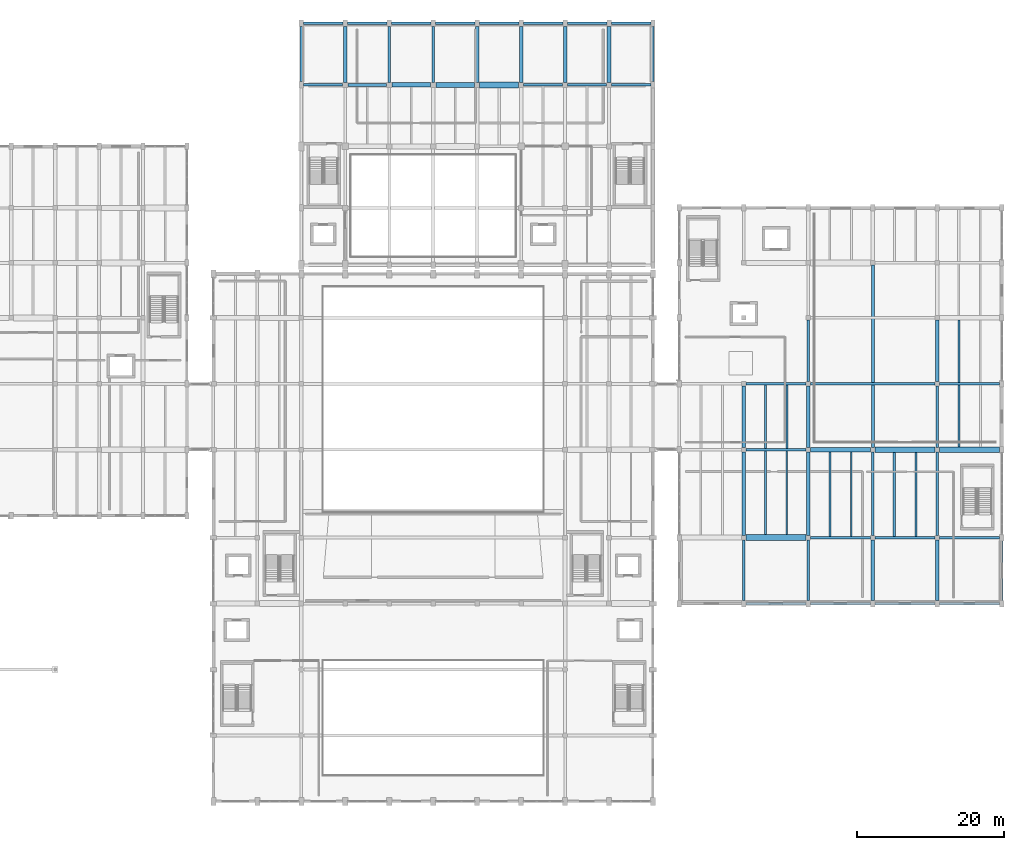
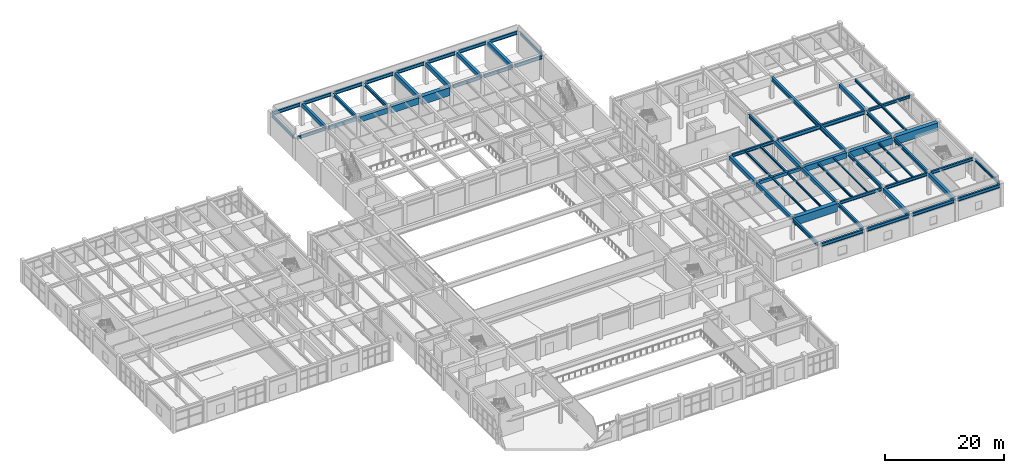
# One storey, part 49 of 85: 65 beams.
"""IFC4 building model written with IfcOpenShell, lengths in metres."""

from ifc_helpers import new_model, si_unit, direction, frame, origin, origin_2d, place, context, subcontext, project, spatial, rectangle, i_section, extrude, material, material_profile, profile_set, type_object, element, save


model = new_model("IFC4")

# Units and contexts
model_context = context("Model", 3, precision=1e-05, world=origin(), true_north=direction((0.0, 1.0)))
body_context = subcontext(model_context, "Body", "Model", "MODEL_VIEW")
ifc_project = project(units=[si_unit("LENGTHUNIT", "METRE"), si_unit("AREAUNIT", "SQUARE_METRE"), si_unit("VOLUMEUNIT", "CUBIC_METRE"), si_unit("PLANEANGLEUNIT", "RADIAN"), si_unit("MASSUNIT", "GRAM", prefix="KILO")], contexts=[model_context])

# Site, building, storey
site_placement = place(None, origin())
site = spatial("IfcSite", under=ifc_project, at=site_placement, CompositionType="ELEMENT")
building_placement = place(site_placement, origin())
building = spatial("IfcBuilding", under=site, at=building_placement, Name="Vaelkrest Opera House", CompositionType="ELEMENT")
storey_placement = place(building_placement, frame((0.0, 0.0, 10.199951171875)))
storey = spatial("IfcBuildingStorey", under=building, at=storey_placement, Name="L02", CompositionType="ELEMENT", Elevation=10.199951171875)

# Beams
ifc_material_1 = material(Name="Concrete C50/60", Category="concrete")
ifc_material_profile_1 = material_profile(ifc_material_1, rectangle(XDim=0.39990234375, YDim=0.64990234375, at=origin_2d()), Name="RCB400X650")
ifc_profile_set_1 = profile_set([ifc_material_profile_1], Name="Concrete C50/60")
beam_type_1 = type_object("IfcBeamType", Name="B01", PredefinedType="BEAM", material=ifc_profile_set_1)
beam_1_placement = place(storey_placement, frame((-11.64990234375, 42.0, 4.179931640625), z_axis=(1.0, 0.0, 0.0), x_axis=(0.0, 1.0, 0.0)))
element("IfcBeam", 1, at=beam_1_placement, inside=storey, type_object=beam_type_1, Name="Beam BM-V2-L02-0973", PredefinedType="BEAM", context=body_context, shape_type="SweptSolid", body=[
    extrude(rectangle(XDim=0.39990234375, YDim=0.64990234375, at=origin_2d()), origin(), (0.0, 0.0, 1.0), 5.2998046875),
])
beam_2_placement = place(storey_placement, frame((42.699951171875, -7.800048828125, 4.179931640625), z_axis=(1.0, 0.0, 0.0), x_axis=(0.0, 1.0, 0.0)))
element("IfcBeam", 2, at=beam_2_placement, inside=storey, type_object=beam_type_1, Name="Beam BM-V4-L02-2261", PredefinedType="BEAM", context=body_context, shape_type="SweptSolid", body=[
    extrude(rectangle(XDim=0.39990234375, YDim=0.64990234375, at=origin_2d()), origin(), (0.0, 0.0, 1.0), 8.199951171875),
])
ifc_material_profile_2 = material_profile(ifc_material_1, rectangle(XDim=0.449951171875, YDim=0.75, at=origin_2d()), Name="RCB450X750")
ifc_profile_set_2 = profile_set([ifc_material_profile_2], Name="Concrete C50/60")
beam_type_2 = type_object("IfcBeamType", Name="B02", PredefinedType="BEAM", material=ifc_profile_set_2)
beam_3_placement = place(storey_placement, frame((-12.0, 42.35009765625, 4.130126953125), z_axis=(0.0, 1.0, 0.0), x_axis=(-1.0, 0.0, 0.0)))
element("IfcBeam", 3, at=beam_3_placement, inside=storey, type_object=beam_type_2, Name="Beam BM-V2-L02-0995", PredefinedType="BEAM", context=body_context, shape_type="SweptSolid", body=[
    extrude(rectangle(XDim=0.449951171875, YDim=0.75, at=origin_2d()), origin(), (0.0, 0.0, 1.0), 7.599853515625),
])
for number, where, z_axis, x_axis, name in (
    (4, (42.39990234375, -19.5, 4.130126953125), (0.0, 1.0, 0.0), (-1.0, 0.0, 0.0), "Beam BM-V4-L02-2287"),
    (5, (51.199951171875, -19.5, 4.130126953125), (0.0, 1.0, 0.0), (-1.0, 0.0, 0.0), "Beam BM-V4-L02-2291"),
):
    element("IfcBeam", number, at=place(storey_placement, frame(where, z_axis=z_axis, x_axis=x_axis)), inside=storey, type_object=beam_type_2, Name=name, PredefinedType="BEAM", context=body_context, shape_type="SweptSolid", body=[
        extrude(rectangle(XDim=0.449951171875, YDim=0.75, at=origin_2d()), origin(), (0.0, 0.0, 1.0), 11.39990234375),
    ])
beam_4_placement = place(storey_placement, frame((68.800048828125, 1.5, 4.130126953125), z_axis=(0.0, 1.0, 0.0), x_axis=(-1.0, 0.0, 0.0)))
element("IfcBeam", 6, at=beam_4_placement, inside=storey, type_object=beam_type_2, Name="Beam BM-V4-L02-2303", PredefinedType="BEAM", context=body_context, shape_type="SweptSolid", body=[
    extrude(rectangle(XDim=0.449951171875, YDim=0.75, at=origin_2d()), origin(), (0.0, 0.0, 1.0), 8.39990234375),
])
ifc_material_profile_3 = material_profile(ifc_material_1, rectangle(XDim=0.5, YDim=0.85009765625, at=origin_2d()), Name="RCB500X850")
ifc_profile_set_3 = profile_set([ifc_material_profile_3], Name="Concrete C50/60")
beam_type_3 = type_object("IfcBeamType", Name="B03", PredefinedType="BEAM", material=ifc_profile_set_3)
for number, where, z_axis, x_axis, name in (
    (7, (6.0, 42.35009765625, 4.080078125), (0.0, 1.0, 0.0), (-1.0, 0.0, 0.0), "Beam BM-V2-L02-1004"),
    (8, (12.0, 42.35009765625, 4.080078125), (0.0, 1.0, 0.0), (-1.0, 0.0, 0.0), "Beam BM-V2-L02-1008"),
    (9, (18.0, 42.35009765625, 4.080078125), (0.0, 1.0, 0.0), (-1.0, 0.0, 0.0), "Beam BM-V2-L02-1012"),
    (10, (24.0, 42.35009765625, 4.080078125), (0.0, 1.0, 0.0), (-1.0, 0.0, 0.0), "Beam BM-V2-L02-1016"),
):
    element("IfcBeam", number, at=place(storey_placement, frame(where, z_axis=z_axis, x_axis=x_axis)), inside=storey, type_object=beam_type_3, Name=name, PredefinedType="BEAM", context=body_context, shape_type="SweptSolid", body=[
        extrude(rectangle(XDim=0.5, YDim=0.85009765625, at=origin_2d()), origin(), (0.0, 0.0, 1.0), 7.599853515625),
    ])
for number, where, z_axis, x_axis, name in (
    (11, (42.39990234375, -7.5, 4.080078125), (0.0, 1.0, 0.0), (-1.0, 0.0, 0.0), "Beam BM-V4-L02-2288"),
    (12, (51.199951171875, -7.5, 4.080078125), (0.0, 1.0, 0.0), (-1.0, 0.0, 0.0), "Beam BM-V4-L02-2292"),
):
    element("IfcBeam", number, at=place(storey_placement, frame(where, z_axis=z_axis, x_axis=x_axis)), inside=storey, type_object=beam_type_3, Name=name, PredefinedType="BEAM", context=body_context, shape_type="SweptSolid", body=[
        extrude(rectangle(XDim=0.5, YDim=0.85009765625, at=origin_2d()), origin(), (0.0, 0.0, 1.0), 8.39990234375),
    ])
for number, where, z_axis, x_axis, name in (
    (13, (60.0, -28.35009765625, 4.080078125), (0.0, 1.0, 0.0), (-1.0, 0.0, 0.0), "Beam BM-V4-L02-2296"),
    (14, (68.800048828125, -28.35009765625, 4.080078125), (0.0, 1.0, 0.0), (-1.0, 0.0, 0.0), "Beam BM-V4-L02-2300"),
):
    element("IfcBeam", number, at=place(storey_placement, frame(where, z_axis=z_axis, x_axis=x_axis)), inside=storey, type_object=beam_type_3, Name=name, PredefinedType="BEAM", context=body_context, shape_type="SweptSolid", body=[
        extrude(rectangle(XDim=0.5, YDim=0.85009765625, at=origin_2d()), origin(), (0.0, 0.0, 1.0), 8.25),
    ])
ifc_material_profile_4 = material_profile(ifc_material_1, rectangle(XDim=0.60009765625, YDim=1.10009765625, at=origin_2d()), Name="RCB600X1100")
ifc_profile_set_4 = profile_set([ifc_material_profile_4], Name="Concrete C50/60")
beam_type_4 = type_object("IfcBeamType", Name="B05", PredefinedType="BEAM", material=ifc_profile_set_4)
beam_5_placement = place(storey_placement, frame((-5.64990234375, 42.0, 3.955078125), z_axis=(1.0, 0.0, 0.0), x_axis=(0.0, 1.0, 0.0)))
element("IfcBeam", 15, at=beam_5_placement, inside=storey, type_object=beam_type_4, Name="Beam BM-V2-L02-0974", PredefinedType="BEAM", context=body_context, shape_type="SweptSolid", body=[
    extrude(rectangle(XDim=0.60009765625, YDim=1.10009765625, at=origin_2d()), origin(), (0.0, 0.0, 1.0), 5.2998046875),
])
beam_6_placement = place(storey_placement, frame((51.5, -7.800048828125, 3.955078125), z_axis=(1.0, 0.0, 0.0), x_axis=(0.0, 1.0, 0.0)))
element("IfcBeam", 16, at=beam_6_placement, inside=storey, type_object=beam_type_4, Name="Beam BM-V4-L02-2262", PredefinedType="BEAM", context=body_context, shape_type="SweptSolid", body=[
    extrude(rectangle(XDim=0.60009765625, YDim=1.10009765625, at=origin_2d()), origin(), (0.0, 0.0, 1.0), 8.199951171875),
])
ifc_material_profile_5 = material_profile(ifc_material_1, rectangle(XDim=0.699951171875, YDim=1.35009765625, at=origin_2d()), Name="RCB700X1350")
ifc_profile_set_5 = profile_set([ifc_material_profile_5], Name="Concrete C50/60")
beam_type_5 = type_object("IfcBeamType", Name="B06", PredefinedType="BEAM", material=ifc_profile_set_5)
beam_7_placement = place(storey_placement, frame((0.35009765625, 42.0, 3.830078125), z_axis=(1.0, 0.0, 0.0), x_axis=(0.0, 1.0, 0.0)))
element("IfcBeam", 17, at=beam_7_placement, inside=storey, type_object=beam_type_5, Name="Beam BM-V2-L02-0975", PredefinedType="BEAM", context=body_context, shape_type="SweptSolid", body=[
    extrude(rectangle(XDim=0.699951171875, YDim=1.35009765625, at=origin_2d()), origin(), (0.0, 0.0, 1.0), 5.2998046875),
])
beam_8_placement = place(storey_placement, frame((60.300048828125, -7.800048828125, 3.830078125), z_axis=(1.0, 0.0, 0.0), x_axis=(0.0, 1.0, 0.0)))
element("IfcBeam", 18, at=beam_8_placement, inside=storey, type_object=beam_type_5, Name="Beam BM-V4-L02-2263", PredefinedType="BEAM", context=body_context, shape_type="SweptSolid", body=[
    extrude(rectangle(XDim=0.699951171875, YDim=1.35009765625, at=origin_2d()), origin(), (0.0, 0.0, 1.0), 8.199951171875),
])
ifc_material_profile_6 = material_profile(ifc_material_1, rectangle(XDim=0.800048828125, YDim=1.64990234375, at=origin_2d()), Name="RCB800X1650")
ifc_profile_set_6 = profile_set([ifc_material_profile_6], Name="Concrete C50/60")
beam_type_6 = type_object("IfcBeamType", Name="B07", PredefinedType="BEAM", material=ifc_profile_set_6)
beam_9_placement = place(storey_placement, frame((6.35009765625, 42.0, 3.679931640625), z_axis=(1.0, 0.0, 0.0), x_axis=(0.0, 1.0, 0.0)))
element("IfcBeam", 19, at=beam_9_placement, inside=storey, type_object=beam_type_6, Name="Beam BM-V2-L02-0976", PredefinedType="BEAM", context=body_context, shape_type="SweptSolid", body=[
    extrude(rectangle(XDim=0.800048828125, YDim=1.64990234375, at=origin_2d()), origin(), (0.0, 0.0, 1.0), 5.2998046875),
])
for number, where, z_axis, x_axis, name in (
    (20, (42.699951171875, -19.800048828125, 3.679931640625), (1.0, 0.0, 0.0), (0.0, 1.0, 0.0), "Beam BM-V4-L02-2256"),
    (21, (69.10009765625, -7.800048828125, 3.679931640625), (1.0, 0.0, 0.0), (0.0, 1.0, 0.0), "Beam BM-V4-L02-2264"),
):
    element("IfcBeam", number, at=place(storey_placement, frame(where, z_axis=z_axis, x_axis=x_axis)), inside=storey, type_object=beam_type_6, Name=name, PredefinedType="BEAM", context=body_context, shape_type="SweptSolid", body=[
        extrude(rectangle(XDim=0.800048828125, YDim=1.64990234375, at=origin_2d()), origin(), (0.0, 0.0, 1.0), 8.199951171875),
    ])
ifc_material_2 = material(Name="Steel A992 Gr50", Category="steel")
ifc_material_profile_7 = material_profile(ifc_material_2, i_section(OverallWidth=0.323974609375, OverallDepth=0.611083984375, WebThickness=0.0126953125, FlangeThickness=0.01904296875, at=origin_2d()), Name="W24X104")
ifc_profile_set_7 = profile_set([ifc_material_profile_7], Name="Steel A992 Gr50")
beam_type_7 = type_object("IfcBeamType", Name="B08", PredefinedType="BEAM", material=ifc_profile_set_7)
beam_10_placement = place(storey_placement, frame((12.35009765625, 42.0, 4.199462890625), z_axis=(1.0, 0.0, 0.0), x_axis=(0.0, 1.0, 0.0)))
element("IfcBeam", 22, at=beam_10_placement, inside=storey, type_object=beam_type_7, Name="Beam BM-V2-L02-0977", PredefinedType="BEAM", context=body_context, shape_type="SweptSolid", body=[
    extrude(i_section(OverallWidth=0.323974609375, OverallDepth=0.611083984375, WebThickness=0.0126953125, FlangeThickness=0.01904296875, at=origin_2d()), origin(), (0.0, 0.0, 1.0), 5.2998046875),
])
beam_11_placement = place(storey_placement, frame((51.5, -19.800048828125, 4.199462890625), z_axis=(1.0, 0.0, 0.0), x_axis=(0.0, 1.0, 0.0)))
element("IfcBeam", 23, at=beam_11_placement, inside=storey, type_object=beam_type_7, Name="Beam BM-V4-L02-2257", PredefinedType="BEAM", context=body_context, shape_type="SweptSolid", body=[
    extrude(i_section(OverallWidth=0.323974609375, OverallDepth=0.611083984375, WebThickness=0.0126953125, FlangeThickness=0.01904296875, at=origin_2d()), origin(), (0.0, 0.0, 1.0), 8.199951171875),
])
ifc_material_profile_8 = material_profile(ifc_material_2, i_section(OverallWidth=0.327880859375, OverallDepth=0.6279296875, WebThickness=0.0166015625, FlangeThickness=0.027587890625, at=origin_2d()), Name="W24X146")
ifc_profile_set_8 = profile_set([ifc_material_profile_8], Name="Steel A992 Gr50")
beam_type_8 = type_object("IfcBeamType", Name="B09", PredefinedType="BEAM", material=ifc_profile_set_8)
beam_12_placement = place(storey_placement, frame((18.35009765625, 42.0, 4.191162109375), z_axis=(1.0, 0.0, 0.0), x_axis=(0.0, 1.0, 0.0)))
element("IfcBeam", 24, at=beam_12_placement, inside=storey, type_object=beam_type_8, Name="Beam BM-V2-L02-0978", PredefinedType="BEAM", context=body_context, shape_type="SweptSolid", body=[
    extrude(i_section(OverallWidth=0.327880859375, OverallDepth=0.6279296875, WebThickness=0.0166015625, FlangeThickness=0.027587890625, at=origin_2d()), origin(), (0.0, 0.0, 1.0), 5.2998046875),
])
for number, where, z_axis, x_axis, name in (
    (25, (60.300048828125, -19.800048828125, 4.191162109375), (1.0, 0.0, 0.0), (0.0, 1.0, 0.0), "Beam BM-V4-L02-2258"),
    (26, (42.699951171875, 1.199951171875, 4.191162109375), (1.0, 0.0, 0.0), (0.0, 1.0, 0.0), "Beam BM-V4-L02-2266"),
):
    element("IfcBeam", number, at=place(storey_placement, frame(where, z_axis=z_axis, x_axis=x_axis)), inside=storey, type_object=beam_type_8, Name=name, PredefinedType="BEAM", context=body_context, shape_type="SweptSolid", body=[
        extrude(i_section(OverallWidth=0.327880859375, OverallDepth=0.6279296875, WebThickness=0.0166015625, FlangeThickness=0.027587890625, at=origin_2d()), origin(), (0.0, 0.0, 1.0), 8.199951171875),
    ])
ifc_material_profile_9 = material_profile(ifc_material_2, i_section(OverallWidth=0.35498046875, OverallDepth=0.695068359375, WebThickness=0.015380859375, FlangeThickness=0.02490234375, at=origin_2d()), Name="W27X146")
ifc_profile_set_9 = profile_set([ifc_material_profile_9], Name="Steel A992 Gr50")
beam_type_9 = type_object("IfcBeamType", Name="B10", PredefinedType="BEAM", material=ifc_profile_set_9)
beam_13_placement = place(storey_placement, frame((0.0, 42.35009765625, 4.157470703125), z_axis=(0.0, 1.0, 0.0), x_axis=(-1.0, 0.0, 0.0)))
element("IfcBeam", 27, at=beam_13_placement, inside=storey, type_object=beam_type_9, Name="Beam BM-V2-L02-1001", PredefinedType="BEAM", context=body_context, shape_type="SweptSolid", body=[
    extrude(i_section(OverallWidth=0.35498046875, OverallDepth=0.695068359375, WebThickness=0.015380859375, FlangeThickness=0.02490234375, at=origin_2d()), origin(), (0.0, 0.0, 1.0), 7.599853515625),
])
beam_14_placement = place(storey_placement, frame((51.199951171875, 1.5, 4.157470703125), z_axis=(0.0, 1.0, 0.0), x_axis=(-1.0, 0.0, 0.0)))
element("IfcBeam", 28, at=beam_14_placement, inside=storey, type_object=beam_type_9, Name="Beam BM-V4-L02-2293", PredefinedType="BEAM", context=body_context, shape_type="SweptSolid", body=[
    extrude(i_section(OverallWidth=0.35498046875, OverallDepth=0.695068359375, WebThickness=0.015380859375, FlangeThickness=0.02490234375, at=origin_2d()), origin(), (0.0, 0.0, 1.0), 8.39990234375),
])
for number, where, z_axis, x_axis, name in (
    (29, (60.0, -19.5, 4.157470703125), (0.0, 1.0, 0.0), (-1.0, 0.0, 0.0), "Beam BM-V4-L02-2297"),
    (30, (68.800048828125, -19.5, 4.157470703125), (0.0, 1.0, 0.0), (-1.0, 0.0, 0.0), "Beam BM-V4-L02-2301"),
):
    element("IfcBeam", number, at=place(storey_placement, frame(where, z_axis=z_axis, x_axis=x_axis)), inside=storey, type_object=beam_type_9, Name=name, PredefinedType="BEAM", context=body_context, shape_type="SweptSolid", body=[
        extrude(i_section(OverallWidth=0.35498046875, OverallDepth=0.695068359375, WebThickness=0.015380859375, FlangeThickness=0.02490234375, at=origin_2d()), origin(), (0.0, 0.0, 1.0), 11.39990234375),
    ])
ifc_material_profile_10 = material_profile(ifc_material_2, i_section(OverallWidth=0.381103515625, OverallDepth=0.77294921875, WebThickness=0.0166015625, FlangeThickness=0.027099609375, at=origin_2d()), Name="W30X173")
ifc_profile_set_10 = profile_set([ifc_material_profile_10], Name="Steel A992 Gr50")
beam_type_10 = type_object("IfcBeamType", Name="B11", PredefinedType="BEAM", material=ifc_profile_set_10)
beam_15_placement = place(storey_placement, frame((51.5, 1.199951171875, 4.11865234375), z_axis=(1.0, 0.0, 0.0), x_axis=(0.0, 1.0, 0.0)))
element("IfcBeam", 31, at=beam_15_placement, inside=storey, type_object=beam_type_10, Name="Beam BM-V4-L02-2267", PredefinedType="BEAM", context=body_context, shape_type="SweptSolid", body=[
    extrude(i_section(OverallWidth=0.381103515625, OverallDepth=0.77294921875, WebThickness=0.0166015625, FlangeThickness=0.027099609375, at=origin_2d()), origin(), (0.0, 0.0, 1.0), 17.0),
])
ifc_material_profile_11 = material_profile(ifc_material_2, i_section(OverallWidth=0.39892578125, OverallDepth=0.85498046875, WebThickness=0.018310546875, FlangeThickness=0.029296875, at=origin_2d()), Name="W33X201")
ifc_profile_set_11 = profile_set([ifc_material_profile_11], Name="Steel A992 Gr50")
beam_type_11 = type_object("IfcBeamType", Name="B12", PredefinedType="BEAM", material=ifc_profile_set_11)
beam_16_placement = place(storey_placement, frame((60.0, -7.5, 4.07763671875), z_axis=(0.0, 1.0, 0.0), x_axis=(-1.0, 0.0, 0.0)))
element("IfcBeam", 32, at=beam_16_placement, inside=storey, type_object=beam_type_11, Name="Beam BM-V4-L02-2298", PredefinedType="BEAM", context=body_context, shape_type="SweptSolid", body=[
    extrude(i_section(OverallWidth=0.39892578125, OverallDepth=0.85498046875, WebThickness=0.018310546875, FlangeThickness=0.029296875, at=origin_2d()), origin(), (0.0, 0.0, 1.0), 24.89990234375),
])
ifc_material_profile_12 = material_profile(ifc_material_2, i_section(OverallWidth=0.35791015625, OverallDepth=0.7060546875, WebThickness=0.018310546875, FlangeThickness=0.0302734375, at=origin_2d()), Name="W27X178")
ifc_profile_set_12 = profile_set([ifc_material_profile_12], Name="Steel A992 Gr50")
beam_type_12 = type_object("IfcBeamType", Name="B14", PredefinedType="BEAM", material=ifc_profile_set_12)
beam_17_placement = place(storey_placement, frame((-6.0, 42.35009765625, 4.152099609375), z_axis=(0.0, 1.0, 0.0), x_axis=(-1.0, 0.0, 0.0)))
element("IfcBeam", 33, at=beam_17_placement, inside=storey, type_object=beam_type_12, Name="Beam BM-V2-L02-0998", PredefinedType="BEAM", context=body_context, shape_type="SweptSolid", body=[
    extrude(i_section(OverallWidth=0.35791015625, OverallDepth=0.7060546875, WebThickness=0.018310546875, FlangeThickness=0.0302734375, at=origin_2d()), origin(), (0.0, 0.0, 1.0), 7.599853515625),
])
for number, where, z_axis, x_axis, name in (
    (34, (42.39990234375, -28.35009765625, 4.152099609375), (0.0, 1.0, 0.0), (-1.0, 0.0, 0.0), "Beam BM-V4-L02-2286"),
    (35, (51.199951171875, -28.35009765625, 4.152099609375), (0.0, 1.0, 0.0), (-1.0, 0.0, 0.0), "Beam BM-V4-L02-2290"),
):
    element("IfcBeam", number, at=place(storey_placement, frame(where, z_axis=z_axis, x_axis=x_axis)), inside=storey, type_object=beam_type_12, Name=name, PredefinedType="BEAM", context=body_context, shape_type="SweptSolid", body=[
        extrude(i_section(OverallWidth=0.35791015625, OverallDepth=0.7060546875, WebThickness=0.018310546875, FlangeThickness=0.0302734375, at=origin_2d()), origin(), (0.0, 0.0, 1.0), 8.25),
    ])
beam_18_placement = place(storey_placement, frame((68.800048828125, -7.5, 4.152099609375), z_axis=(0.0, 1.0, 0.0), x_axis=(-1.0, 0.0, 0.0)))
element("IfcBeam", 36, at=beam_18_placement, inside=storey, type_object=beam_type_12, Name="Beam BM-V4-L02-2302", PredefinedType="BEAM", context=body_context, shape_type="SweptSolid", body=[
    extrude(i_section(OverallWidth=0.35791015625, OverallDepth=0.7060546875, WebThickness=0.018310546875, FlangeThickness=0.0302734375, at=origin_2d()), origin(), (0.0, 0.0, 1.0), 8.39990234375),
])
ifc_material_profile_13 = material_profile(ifc_material_2, i_section(OverallWidth=0.326904296875, OverallDepth=0.6220703125, WebThickness=0.015380859375, FlangeThickness=0.0244140625, at=origin_2d()), Name="W24X131")
ifc_profile_set_13 = profile_set([ifc_material_profile_13], Name="Steel A992 Gr50")
beam_type_13 = type_object("IfcBeamType", Name="B19", PredefinedType="BEAM", material=ifc_profile_set_13)
beam_19_placement = place(storey_placement, frame((24.35009765625, 42.0, 4.194091796875), z_axis=(1.0, 0.0, 0.0), x_axis=(0.0, 1.0, 0.0)))
element("IfcBeam", 37, at=beam_19_placement, inside=storey, type_object=beam_type_13, Name="Beam BM-V2-L02-0979", PredefinedType="BEAM", context=body_context, shape_type="SweptSolid", body=[
    extrude(i_section(OverallWidth=0.326904296875, OverallDepth=0.6220703125, WebThickness=0.015380859375, FlangeThickness=0.0244140625, at=origin_2d()), origin(), (0.0, 0.0, 1.0), 5.349853515625),
])
beam_20_placement = place(storey_placement, frame((69.10009765625, -19.800048828125, 4.194091796875), z_axis=(1.0, 0.0, 0.0), x_axis=(0.0, 1.0, 0.0)))
element("IfcBeam", 38, at=beam_20_placement, inside=storey, type_object=beam_type_13, Name="Beam BM-V4-L02-2259", PredefinedType="BEAM", context=body_context, shape_type="SweptSolid", body=[
    extrude(i_section(OverallWidth=0.326904296875, OverallDepth=0.6220703125, WebThickness=0.015380859375, FlangeThickness=0.0244140625, at=origin_2d()), origin(), (0.0, 0.0, 1.0), 8.199951171875),
])
ifc_material_profile_14 = material_profile(ifc_material_2, i_section(OverallWidth=0.31494140625, OverallDepth=0.551025390625, WebThickness=0.01513671875, FlangeThickness=0.0244140625, at=origin_2d()), Name="W21X122")
ifc_profile_set_14 = profile_set([ifc_material_profile_14], Name="Steel A992 Gr50")
beam_type_14 = type_object("IfcBeamType", Name="B20", PredefinedType="BEAM", material=ifc_profile_set_14)
beam_21_placement = place(storey_placement, frame((-17.699951171875, 42.0, 4.2294921875), z_axis=(1.0, 0.0, 0.0), x_axis=(0.0, 1.0, 0.0)))
element("IfcBeam", 39, at=beam_21_placement, inside=storey, type_object=beam_type_14, Name="Beam BM-V2-L02-0972", PredefinedType="BEAM", context=body_context, shape_type="SweptSolid", body=[
    extrude(i_section(OverallWidth=0.31494140625, OverallDepth=0.551025390625, WebThickness=0.01513671875, FlangeThickness=0.0244140625, at=origin_2d()), origin(), (0.0, 0.0, 1.0), 5.349853515625),
])
beam_22_placement = place(storey_placement, frame((69.10009765625, 1.199951171875, 4.2294921875), z_axis=(1.0, 0.0, 0.0), x_axis=(0.0, 1.0, 0.0)))
element("IfcBeam", 40, at=beam_22_placement, inside=storey, type_object=beam_type_14, Name="Beam BM-V4-L02-2268", PredefinedType="BEAM", context=body_context, shape_type="SweptSolid", body=[
    extrude(i_section(OverallWidth=0.31494140625, OverallDepth=0.551025390625, WebThickness=0.01513671875, FlangeThickness=0.0244140625, at=origin_2d()), origin(), (0.0, 0.0, 1.0), 8.199951171875),
])
ifc_material_profile_15 = material_profile(ifc_material_2, i_section(OverallWidth=0.2041015625, OverallDepth=0.257080078125, WebThickness=0.0087890625, FlangeThickness=0.015625, at=origin_2d()), Name="W10X45")
ifc_profile_set_15 = profile_set([ifc_material_profile_15], Name="Steel A992 Gr50")
beam_type_15 = type_object("IfcBeamType", Name="J01", PredefinedType="JOIST", material=ifc_profile_set_15)
beam_23_placement = place(storey_placement, frame((57.06689453125, -19.637939453125, 4.37646484375), z_axis=(0.0, 1.0, 0.0), x_axis=(-1.0, 0.0, 0.0)))
element("IfcBeam", 41, at=beam_23_placement, inside=storey, type_object=beam_type_15, Name="Floor joist JST-V4-L02-2321", PredefinedType="JOIST", context=body_context, shape_type="SweptSolid", body=[
    extrude(i_section(OverallWidth=0.2041015625, OverallDepth=0.257080078125, WebThickness=0.0087890625, FlangeThickness=0.015625, at=origin_2d()), origin(), (0.0, 0.0, 1.0), 11.537841796875),
])
ifc_material_profile_16 = material_profile(ifc_material_2, i_section(OverallWidth=0.304931640625, OverallDepth=0.30810546875, WebThickness=0.010009765625, FlangeThickness=0.015380859375, at=origin_2d()), Name="W12X65")
ifc_profile_set_16 = profile_set([ifc_material_profile_16], Name="Steel A992 Gr50")
beam_type_16 = type_object("IfcBeamType", Name="J04", PredefinedType="JOIST", material=ifc_profile_set_16)
beam_24_placement = place(storey_placement, frame((62.93310546875, -19.635986328125, 4.35107421875), z_axis=(0.0, 1.0, 0.0), x_axis=(-1.0, 0.0, 0.0)))
element("IfcBeam", 42, at=beam_24_placement, inside=storey, type_object=beam_type_16, Name="Floor joist JST-V4-L02-2324", PredefinedType="JOIST", context=body_context, shape_type="SweptSolid", body=[
    extrude(i_section(OverallWidth=0.304931640625, OverallDepth=0.30810546875, WebThickness=0.010009765625, FlangeThickness=0.015380859375, at=origin_2d()), origin(), (0.0, 0.0, 1.0), 11.486083984375),
])
ifc_material_profile_17 = material_profile(ifc_material_2, i_section(OverallWidth=0.2548828125, OverallDepth=0.35693359375, WebThickness=0.010498046875, FlangeThickness=0.018310546875, at=origin_2d()), Name="W14X68")
ifc_profile_set_17 = profile_set([ifc_material_profile_17], Name="Steel A992 Gr50")
beam_type_17 = type_object("IfcBeamType", Name="J05", PredefinedType="JOIST", material=ifc_profile_set_17)
beam_25_placement = place(storey_placement, frame((65.866943359375, -19.635986328125, 4.32666015625), z_axis=(0.0, 1.0, 0.0), x_axis=(-1.0, 0.0, 0.0)))
element("IfcBeam", 43, at=beam_25_placement, inside=storey, type_object=beam_type_17, Name="Floor joist JST-V4-L02-2325", PredefinedType="JOIST", context=body_context, shape_type="SweptSolid", body=[
    extrude(i_section(OverallWidth=0.2548828125, OverallDepth=0.35693359375, WebThickness=0.010498046875, FlangeThickness=0.018310546875, at=origin_2d()), origin(), (0.0, 0.0, 1.0), 11.486083984375),
])
ifc_material_profile_18 = material_profile(ifc_material_2, i_section(OverallWidth=0.257080078125, OverallDepth=0.363037109375, WebThickness=0.012939453125, FlangeThickness=0.021728515625, at=origin_2d()), Name="W14X82")
ifc_profile_set_18 = profile_set([ifc_material_profile_18], Name="Steel A992 Gr50")
beam_type_18 = type_object("IfcBeamType", Name="J06", PredefinedType="JOIST", material=ifc_profile_set_18)
beam_26_placement = place(storey_placement, frame((45.3330078125, -19.39990234375, 4.323486328125), z_axis=(0.0, 1.0, 0.0), x_axis=(-1.0, 0.0, 0.0)))
element("IfcBeam", 44, at=beam_26_placement, inside=storey, type_object=beam_type_18, Name="Floor joist JST-V4-L02-2316", PredefinedType="JOIST", context=body_context, shape_type="SweptSolid", body=[
    extrude(i_section(OverallWidth=0.257080078125, OverallDepth=0.363037109375, WebThickness=0.012939453125, FlangeThickness=0.021728515625, at=origin_2d()), origin(), (0.0, 0.0, 1.0), 11.39990234375),
])
ifc_material_profile_19 = material_profile(ifc_material_2, i_section(OverallWidth=0.180908203125, OverallDepth=0.4169921875, WebThickness=0.010986328125, FlangeThickness=0.018310546875, at=origin_2d()), Name="W16X57")
ifc_profile_set_19 = profile_set([ifc_material_profile_19], Name="Steel A992 Gr50")
beam_type_19 = type_object("IfcBeamType", Name="J07", PredefinedType="JOIST", material=ifc_profile_set_19)
beam_27_placement = place(storey_placement, frame((48.26708984375, -19.39990234375, 4.296630859375), z_axis=(0.0, 1.0, 0.0), x_axis=(-1.0, 0.0, 0.0)))
element("IfcBeam", 45, at=beam_27_placement, inside=storey, type_object=beam_type_19, Name="Floor joist JST-V4-L02-2317", PredefinedType="JOIST", context=body_context, shape_type="SweptSolid", body=[
    extrude(i_section(OverallWidth=0.180908203125, OverallDepth=0.4169921875, WebThickness=0.010986328125, FlangeThickness=0.018310546875, at=origin_2d()), origin(), (0.0, 0.0, 1.0), 11.39990234375),
])
ifc_material_profile_20 = material_profile(ifc_material_2, i_section(OverallWidth=0.261962890625, OverallDepth=0.4189453125, WebThickness=0.01171875, FlangeThickness=0.019287109375, at=origin_2d()), Name="W16X77")
ifc_profile_set_20 = profile_set([ifc_material_profile_20], Name="Steel A992 Gr50")
beam_type_20 = type_object("IfcBeamType", Name="J08", PredefinedType="JOIST", material=ifc_profile_set_20)
beam_28_placement = place(storey_placement, frame((45.3330078125, -7.60009765625, 4.295654296875), z_axis=(0.0, 1.0, 0.0), x_axis=(-1.0, 0.0, 0.0)))
element("IfcBeam", 46, at=beam_28_placement, inside=storey, type_object=beam_type_20, Name="Floor joist JST-V4-L02-2318", PredefinedType="JOIST", context=body_context, shape_type="SweptSolid", body=[
    extrude(i_section(OverallWidth=0.261962890625, OverallDepth=0.4189453125, WebThickness=0.01171875, FlangeThickness=0.019287109375, at=origin_2d()), origin(), (0.0, 0.0, 1.0), 8.635986328125),
])
beam_29_placement = place(storey_placement, frame((71.73291015625, -7.39990234375, 4.295654296875), z_axis=(0.0, 1.0, 0.0), x_axis=(-1.0, 0.0, 0.0)))
element("IfcBeam", 47, at=beam_29_placement, inside=storey, type_object=beam_type_20, Name="Floor joist JST-V4-L02-2328", PredefinedType="JOIST", context=body_context, shape_type="SweptSolid", body=[
    extrude(i_section(OverallWidth=0.261962890625, OverallDepth=0.4189453125, WebThickness=0.01171875, FlangeThickness=0.019287109375, at=origin_2d()), origin(), (0.0, 0.0, 1.0), 8.4423828125),
])
ifc_material_profile_21 = material_profile(ifc_material_2, i_section(OverallWidth=0.280029296875, OverallDepth=0.462890625, WebThickness=0.0107421875, FlangeThickness=0.017333984375, at=origin_2d()), Name="W18X76")
ifc_profile_set_21 = profile_set([ifc_material_profile_21], Name="Steel A992 Gr50")
beam_type_21 = type_object("IfcBeamType", Name="J09", PredefinedType="JOIST", material=ifc_profile_set_21)
beam_30_placement = place(storey_placement, frame((48.26708984375, -7.60009765625, 4.2734375), z_axis=(0.0, 1.0, 0.0), x_axis=(-1.0, 0.0, 0.0)))
element("IfcBeam", 48, at=beam_30_placement, inside=storey, type_object=beam_type_21, Name="Floor joist JST-V4-L02-2319", PredefinedType="JOIST", context=body_context, shape_type="SweptSolid", body=[
    extrude(i_section(OverallWidth=0.280029296875, OverallDepth=0.462890625, WebThickness=0.0107421875, FlangeThickness=0.017333984375, at=origin_2d()), origin(), (0.0, 0.0, 1.0), 8.635986328125),
])
ifc_material_profile_22 = material_profile(ifc_material_2, i_section(OverallWidth=0.282958984375, OverallDepth=0.471923828125, WebThickness=0.013671875, FlangeThickness=0.022216796875, at=origin_2d()), Name="W18X97")
ifc_profile_set_22 = profile_set([ifc_material_profile_22], Name="Steel A992 Gr50")
beam_type_22 = type_object("IfcBeamType", Name="J10", PredefinedType="JOIST", material=ifc_profile_set_22)
beam_31_placement = place(storey_placement, frame((54.133056640625, -19.637939453125, 4.26904296875), z_axis=(0.0, 1.0, 0.0), x_axis=(-1.0, 0.0, 0.0)))
element("IfcBeam", 49, at=beam_31_placement, inside=storey, type_object=beam_type_22, Name="Floor joist JST-V4-L02-2320", PredefinedType="JOIST", context=body_context, shape_type="SweptSolid", body=[
    extrude(i_section(OverallWidth=0.282958984375, OverallDepth=0.471923828125, WebThickness=0.013671875, FlangeThickness=0.022216796875, at=origin_2d()), origin(), (0.0, 0.0, 1.0), 11.537841796875),
])
beam_32_placement = place(storey_placement, frame((71.73291015625, 1.357421875, 4.26904296875), z_axis=(0.0, 1.0, 0.0), x_axis=(-1.0, 0.0, 0.0)))
element("IfcBeam", 50, at=beam_32_placement, inside=storey, type_object=beam_type_22, Name="Floor joist JST-V4-L02-2330", PredefinedType="JOIST", context=body_context, shape_type="SweptSolid", body=[
    extrude(i_section(OverallWidth=0.282958984375, OverallDepth=0.471923828125, WebThickness=0.013671875, FlangeThickness=0.022216796875, at=origin_2d()), origin(), (0.0, 0.0, 1.0), 8.54248046875),
])
ifc_material_profile_23 = material_profile(ifc_material_2, i_section(OverallWidth=0.323974609375, OverallDepth=0.611083984375, WebThickness=0.0126953125, FlangeThickness=0.01904296875, at=origin_2d()), Name="W24X104")
ifc_profile_set_23 = profile_set([ifc_material_profile_23], Name="Steel A992 Gr50")
beam_type_23 = type_object("IfcBeamType", Name="SP01", PredefinedType="SPANDREL", material=ifc_profile_set_23)
for number, where, z_axis, x_axis, name in (
    (51, (-18.0, 42.449951171875, 4.199462890625), (0.0, 1.0, 0.0), (-1.0, 0.0, 0.0), "Beam BM-V2-L02-0991"),
    (52, (30.0, 42.449951171875, 4.199462890625), (0.0, 1.0, 0.0), (-1.0, 0.0, 0.0), "Beam BM-V2-L02-1020"),
):
    element("IfcBeam", number, at=place(storey_placement, frame(where, z_axis=z_axis, x_axis=x_axis)), inside=storey, type_object=beam_type_23, Name=name, PredefinedType="SPANDREL", context=body_context, shape_type="SweptSolid", body=[
        extrude(i_section(OverallWidth=0.323974609375, OverallDepth=0.611083984375, WebThickness=0.0126953125, FlangeThickness=0.01904296875, at=origin_2d()), origin(), (0.0, 0.0, 1.0), 7.5),
    ])
beam_33_placement = place(storey_placement, frame((77.60009765625, -28.35009765625, 4.199462890625), z_axis=(0.0, 1.0, 0.0), x_axis=(-1.0, 0.0, 0.0)))
element("IfcBeam", 53, at=beam_33_placement, inside=storey, type_object=beam_type_23, Name="Beam BM-V4-L02-2306", PredefinedType="SPANDREL", context=body_context, shape_type="SweptSolid", body=[
    extrude(i_section(OverallWidth=0.323974609375, OverallDepth=0.611083984375, WebThickness=0.0126953125, FlangeThickness=0.01904296875, at=origin_2d()), origin(), (0.0, 0.0, 1.0), 8.10009765625),
])
ifc_material_profile_24 = material_profile(ifc_material_2, i_section(OverallWidth=0.35498046875, OverallDepth=0.695068359375, WebThickness=0.015380859375, FlangeThickness=0.02490234375, at=origin_2d()), Name="W27X146")
ifc_profile_set_24 = profile_set([ifc_material_profile_24], Name="Steel A992 Gr50")
beam_type_24 = type_object("IfcBeamType", Name="SP02", PredefinedType="SPANDREL", material=ifc_profile_set_24)
for number, where, z_axis, x_axis, name in (
    (54, (-17.699951171875, 50.39990234375, 4.157470703125), (1.0, 0.0, 0.0), (0.0, 1.0, 0.0), "Beam BM-V2-L02-0980"),
    (55, (-11.699951171875, 50.39990234375, 4.157470703125), (1.0, 0.0, 0.0), (0.0, 1.0, 0.0), "Beam BM-V2-L02-0981"),
    (56, (-5.699951171875, 50.39990234375, 4.157470703125), (1.0, 0.0, 0.0), (0.0, 1.0, 0.0), "Beam BM-V2-L02-0982"),
    (57, (0.300048828125, 50.39990234375, 4.157470703125), (1.0, 0.0, 0.0), (0.0, 1.0, 0.0), "Beam BM-V2-L02-0983"),
    (58, (6.300048828125, 50.39990234375, 4.157470703125), (1.0, 0.0, 0.0), (0.0, 1.0, 0.0), "Beam BM-V2-L02-0984"),
    (59, (12.300048828125, 50.39990234375, 4.157470703125), (1.0, 0.0, 0.0), (0.0, 1.0, 0.0), "Beam BM-V2-L02-0985"),
    (60, (18.300048828125, 50.39990234375, 4.157470703125), (1.0, 0.0, 0.0), (0.0, 1.0, 0.0), "Beam BM-V2-L02-0986"),
    (61, (24.300048828125, 50.39990234375, 4.157470703125), (1.0, 0.0, 0.0), (0.0, 1.0, 0.0), "Beam BM-V2-L02-0987"),
):
    element("IfcBeam", number, at=place(storey_placement, frame(where, z_axis=z_axis, x_axis=x_axis)), inside=storey, type_object=beam_type_24, Name=name, PredefinedType="SPANDREL", context=body_context, shape_type="SweptSolid", body=[
        extrude(i_section(OverallWidth=0.35498046875, OverallDepth=0.695068359375, WebThickness=0.015380859375, FlangeThickness=0.02490234375, at=origin_2d()), origin(), (0.0, 0.0, 1.0), 5.39990234375),
    ])
for number, where, z_axis, x_axis, name in (
    (62, (42.699951171875, -28.800048828125, 4.157470703125), (1.0, 0.0, 0.0), (0.0, 1.0, 0.0), "Beam BM-V4-L02-2251"),
    (63, (51.5, -28.800048828125, 4.157470703125), (1.0, 0.0, 0.0), (0.0, 1.0, 0.0), "Beam BM-V4-L02-2252"),
    (64, (60.300048828125, -28.800048828125, 4.157470703125), (1.0, 0.0, 0.0), (0.0, 1.0, 0.0), "Beam BM-V4-L02-2253"),
    (65, (69.10009765625, -28.800048828125, 4.157470703125), (1.0, 0.0, 0.0), (0.0, 1.0, 0.0), "Beam BM-V4-L02-2254"),
):
    element("IfcBeam", number, at=place(storey_placement, frame(where, z_axis=z_axis, x_axis=x_axis)), inside=storey, type_object=beam_type_24, Name=name, PredefinedType="SPANDREL", context=body_context, shape_type="SweptSolid", body=[
        extrude(i_section(OverallWidth=0.35498046875, OverallDepth=0.695068359375, WebThickness=0.015380859375, FlangeThickness=0.02490234375, at=origin_2d()), origin(), (0.0, 0.0, 1.0), 8.199951171875),
    ])

save(model, "model.ifc")
